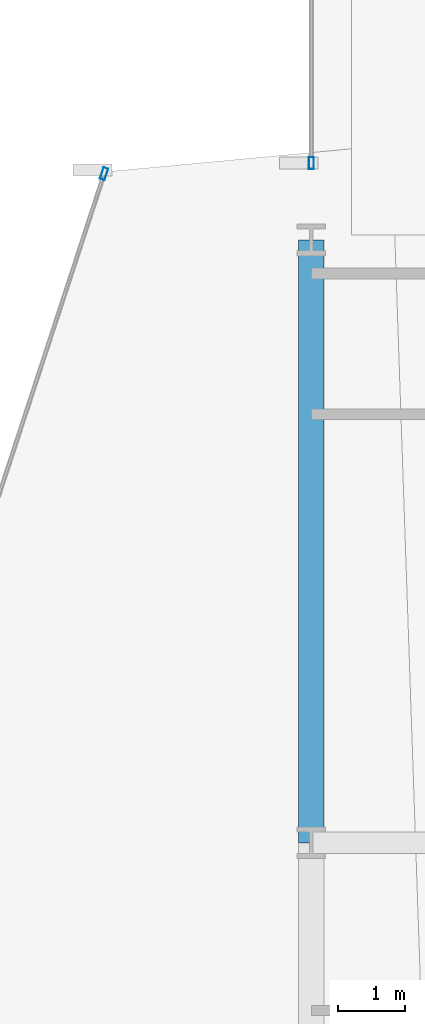
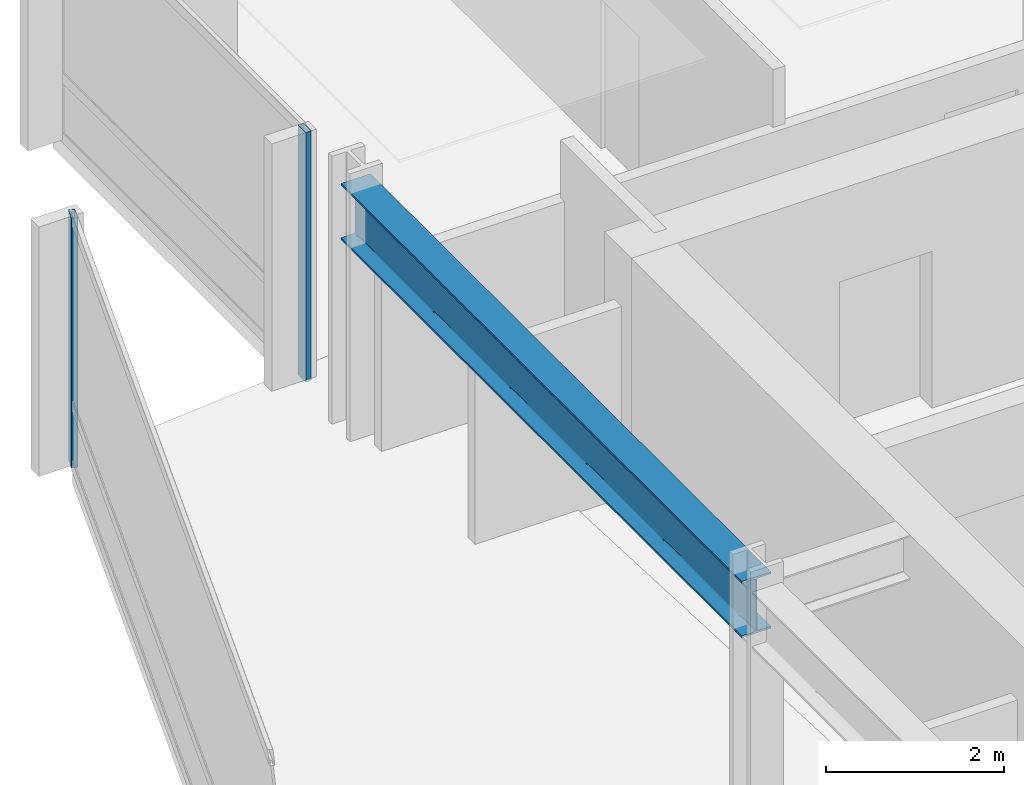
# One storey, part 19 of 34: 2 members, 1 beam, 2 elements without a shape of their own.
"""IFC4 building model written with IfcOpenShell, lengths in metres."""

from ifc_helpers import new_model, si_unit, direction, frame, origin, origin_2d, place, context, subcontext, project, spatial, hollow_rectangle, i_section, extrude, material, layer, layer_set, material_profile, profile_set, type_object, element, aggregate, save


model = new_model("IFC4")

# Units and contexts
model_context = context("Model", 3, precision=1e-05, world=origin(), true_north=direction((0.0, 1.0)))
body_context = subcontext(model_context, "Body", "Model", "MODEL_VIEW")
ifc_project = project(units=[si_unit("LENGTHUNIT", "METRE"), si_unit("AREAUNIT", "SQUARE_METRE"), si_unit("VOLUMEUNIT", "CUBIC_METRE"), si_unit("PLANEANGLEUNIT", "RADIAN"), si_unit("MASSUNIT", "GRAM", prefix="KILO")], contexts=[model_context])

# Site, building, storey
site_placement = place(None, origin())
site = spatial("IfcSite", under=ifc_project, at=site_placement, CompositionType="ELEMENT")
building_placement = place(site_placement, origin())
building = spatial("IfcBuilding", under=site, at=building_placement, Name="Solvaryn Broadcast Tower", CompositionType="ELEMENT")
storey_placement = place(building_placement, frame((0.0, 0.0, 76.699951171875)))
storey = spatial("IfcBuildingStorey", under=building, at=storey_placement, Name="L18", CompositionType="ELEMENT", Elevation=76.699951171875)

# Beam
ifc_material_1 = material(Name="Steel ASTM A992 Grade 50", Category="steel")
ifc_material_profile_1 = material_profile(ifc_material_1, i_section(OverallWidth=0.381103515625, OverallDepth=0.77294921875, WebThickness=0.0166015625, FlangeThickness=0.027099609375, FilletRadius=0.01806640625, at=origin_2d()))
ifc_profile_set_1 = profile_set([ifc_material_profile_1], Name="Steel ASTM A992 Grade 50")
beam_type = type_object("IfcBeamType", Name="BM-SP1-W30X173", PredefinedType="USERDEFINED", material=ifc_profile_set_1)
beam_placement = place(storey_placement, frame((9.0, 36.0, 3.033447265625), z_axis=(0.0, 1.0, 0.0), x_axis=(-1.0, 0.0, 0.0)))
element("IfcBeam", 1, at=beam_placement, inside=storey, type_object=beam_type, Name="L18 Spandrel Beam Y (36-45 @ X=9)", ObjectType="SPANDREL", PredefinedType="USERDEFINED", context=body_context, shape_type="SweptSolid", body=[
    extrude(i_section(OverallWidth=0.381103515625, OverallDepth=0.77294921875, WebThickness=0.0166015625, FlangeThickness=0.027099609375, FilletRadius=0.01806640625, at=origin_2d()), origin(), (0.0, 0.0, 1.0), 9.0),
])

# Curtain wall, member
ifc_material_2 = material(Name="Aluminium and Terracotta Unitised Curtain Wall", Category="masonry")
ifc_layer = layer(ifc_material_2, 0.199951171875)
ifc_layer_set = layer_set([ifc_layer], Name="CW-SYS2-LOWMID")
curtain_wall_type = type_object("IfcCurtainWallType", Name="CW-SYS2-LOWMID", PredefinedType="NOTDEFINED", material=ifc_layer_set)
curtain_wall_1_placement = place(storey_placement, origin())
curtain_wall_1 = element("IfcCurtainWall", 2, at=curtain_wall_1_placement, inside=storey, type_object=curtain_wall_type, Name="L18 Curtain Wall DR1", PredefinedType="NOTDEFINED")
ifc_material_3 = material(Name="Anodised Aluminium 6063-T6", Category="aluminium")
ifc_material_profile_2 = material_profile(ifc_material_3, hollow_rectangle(XDim=0.074951171875, YDim=0.179931640625, WallThickness=0.00390625, InnerFilletRadius=0.00390625, OuterFilletRadius=0.008056640625, at=origin_2d()))
ifc_profile_set_2 = profile_set([ifc_material_profile_2], Name="Anodised Aluminium 6063-T6")
member_type = type_object("IfcMemberType", Name="CW-MUL-180", PredefinedType="MULLION", material=ifc_profile_set_2)
member_1_placement = place(storey_placement, frame((5.90673828125, 45.987548828125, 0.0), z_axis=(0.0, 0.0, 1.0), x_axis=(0.950215318429, -0.311594044587, 0.0)))
member_1 = element("IfcMember", 3, at=member_1_placement, type_object=member_type, Name="CWS2 mullion 1", PredefinedType="MULLION", context=body_context, shape_type="SweptSolid", body=[
    extrude(hollow_rectangle(XDim=0.074951171875, YDim=0.179931640625, WallThickness=0.00390625, InnerFilletRadius=0.00390625, OuterFilletRadius=0.008056640625, at=origin_2d()), origin(), (0.0, 0.0, 1.0), 3.420166015625),
])
aggregate(curtain_wall_1, [member_1])

curtain_wall_2_placement = place(storey_placement, origin())
curtain_wall_2 = element("IfcCurtainWall", 4, at=curtain_wall_2_placement, inside=storey, type_object=curtain_wall_type, Name="L18 Curtain Wall W2", PredefinedType="NOTDEFINED")
member_2_placement = place(storey_placement, frame((9.0, 46.14599609375, 0.0), z_axis=(0.0, 0.0, 1.0), x_axis=(-1.0, 0.0, 0.0)))
member_2 = element("IfcMember", 5, at=member_2_placement, type_object=member_type, Name="CWS2 mullion 1", PredefinedType="MULLION", context=body_context, shape_type="SweptSolid", body=[
    extrude(hollow_rectangle(XDim=0.074951171875, YDim=0.179931640625, WallThickness=0.00390625, InnerFilletRadius=0.00390625, OuterFilletRadius=0.008056640625, at=origin_2d()), origin(), (0.0, 0.0, 1.0), 3.420166015625),
])
aggregate(curtain_wall_2, [member_2])

save(model, "model.ifc")
